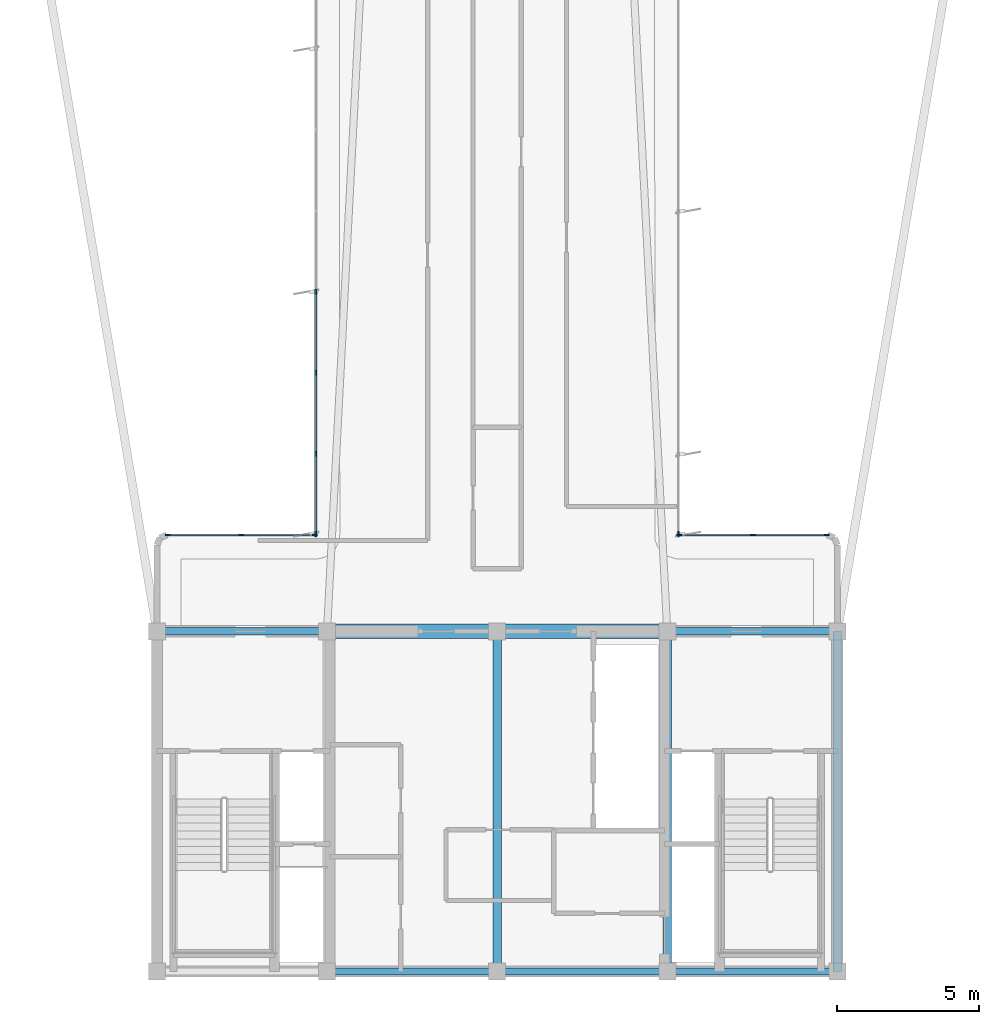
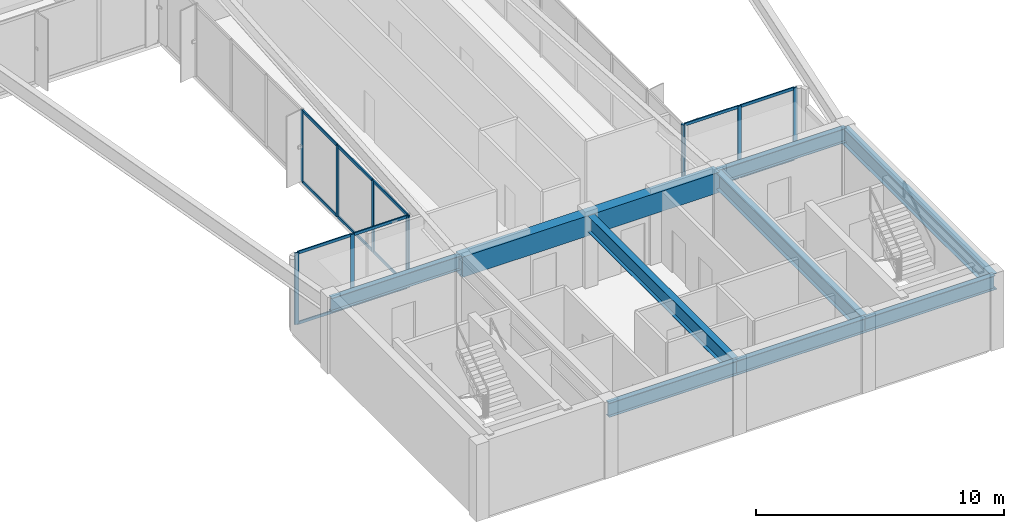
# One storey, part 2 of 15: 25 members, 9 beams, 4 elements without a shape of their own.
"""IFC4 building model written with IfcOpenShell, lengths in metres."""

from ifc_helpers import new_model, si_unit, direction, frame, origin, origin_2d, place, context, subcontext, project, spatial, rectangle, i_section, extrude, source, transform, mapped, material, layer, layer_set, material_profile, profile_set, type_object, element, aggregate, save


model = new_model("IFC4")

# Units and contexts
model_context = context("Model", 3, precision=1e-05, world=origin(), true_north=direction((0.0, 1.0)))
body_context = subcontext(model_context, "Body", "Model", "MODEL_VIEW")
ifc_project = project(units=[si_unit("LENGTHUNIT", "METRE"), si_unit("AREAUNIT", "SQUARE_METRE"), si_unit("VOLUMEUNIT", "CUBIC_METRE"), si_unit("PLANEANGLEUNIT", "RADIAN"), si_unit("MASSUNIT", "GRAM", prefix="KILO")], contexts=[model_context])

# Site, building, storey
site_placement = place(None, origin())
site = spatial("IfcSite", under=ifc_project, at=site_placement, CompositionType="ELEMENT")
building_placement = place(site_placement, origin())
building = spatial("IfcBuilding", under=site, at=building_placement, Name="Brelvock Crest Care Tower", CompositionType="ELEMENT")
storey_placement = place(building_placement, frame((0.0, 0.0, 260.820068359375)))
storey = spatial("IfcBuildingStorey", under=building, at=storey_placement, Name="L66", CompositionType="ELEMENT", Elevation=260.820068359375)

# Beams
ifc_material_1 = material(Name="Steel Grade 350", Category="steel")
ifc_material_profile_1 = material_profile(ifc_material_1, i_section(OverallWidth=0.25, OverallDepth=0.699951171875, WebThickness=0.011962890625, FlangeThickness=0.02001953125, at=origin_2d()), Name="700WB150")
ifc_profile_set_1 = profile_set([ifc_material_profile_1], Name="Steel Grade 350")
beam_type_1 = type_object("IfcBeamType", Name="BM-G4", PredefinedType="BEAM", material=ifc_profile_set_1)
shared_shape_1 = source(origin(), body_context, "Body", "SweptSolid", [
    extrude(i_section(OverallWidth=0.25, OverallDepth=0.699951171875, WebThickness=0.011962890625, FlangeThickness=0.02001953125, at=origin_2d()), origin(), (0.0, 0.0, 1.0), 6.0),
])
for number, where, z_axis, x_axis, name in (
    (1, (24.0, 18.0, 3.179931640625), (1.0, 0.0, 0.0), (0.0, 1.0, 0.0), "BM-COREN-L66-1"),
    (2, (30.0, 6.0, 3.179931640625), (1.0, 0.0, 0.0), (0.0, 1.0, 0.0), "BM-CORES-L66-2"),
    (3, (36.0, 6.0, 3.179931640625), (1.0, 0.0, 0.0), (0.0, 1.0, 0.0), "BM-CORES-L66-3"),
    (4, (42.0, 6.0, 3.179931640625), (1.0, 0.0, 0.0), (0.0, 1.0, 0.0), "BM-CORES-L66-4"),
    (5, (42.0, 18.0, 3.179931640625), (1.0, 0.0, 0.0), (0.0, 1.0, 0.0), "BM-COREN-L66-4"),
):
    element("IfcBeam", number, at=place(storey_placement, frame(where, z_axis=z_axis, x_axis=x_axis)), inside=storey, type_object=beam_type_1, Name=name, PredefinedType="BEAM", context=body_context, shape_type="MappedRepresentation", body=[
        mapped(shared_shape_1, transform((0.0, 0.0, 0.0), x_axis=(1.0, 0.0, 0.0), y_axis=(0.0, 1.0, 0.0), z_axis=(0.0, 0.0, 1.0), scale=1.0)),
    ])
ifc_material_profile_2 = material_profile(ifc_material_1, i_section(OverallWidth=0.300048828125, OverallDepth=0.800048828125, WebThickness=0.013916015625, FlangeThickness=0.02197265625, at=origin_2d()), Name="800WB192")
ifc_profile_set_2 = profile_set([ifc_material_profile_2], Name="Steel Grade 350")
beam_type_2 = type_object("IfcBeamType", Name="BM-G5", PredefinedType="BEAM", material=ifc_profile_set_2)
shared_shape_2 = source(origin(), body_context, "Body", "SweptSolid", [
    extrude(i_section(OverallWidth=0.300048828125, OverallDepth=0.800048828125, WebThickness=0.013916015625, FlangeThickness=0.02197265625, at=origin_2d()), origin(), (0.0, 0.0, 1.0), 12.0),
])
for number, where, z_axis, x_axis, name in (
    (6, (36.0, 6.0, 3.1298828125), (0.0, 1.0, 0.0), (-1.0, 0.0, 0.0), "BM-COREX-L66-3"),
    (7, (42.0, 6.0, 3.1298828125), (0.0, 1.0, 0.0), (-1.0, 0.0, 0.0), "BM-COREX-L66-4"),
    (8, (48.0, 6.0, 3.1298828125), (0.0, 1.0, 0.0), (-1.0, 0.0, 0.0), "BM-COREX-L66-5"),
):
    element("IfcBeam", number, at=place(storey_placement, frame(where, z_axis=z_axis, x_axis=x_axis)), inside=storey, type_object=beam_type_2, Name=name, PredefinedType="BEAM", context=body_context, shape_type="MappedRepresentation", body=[
        mapped(shared_shape_2, transform((0.0, 0.0, 0.0), x_axis=(1.0, 0.0, 0.0), y_axis=(0.0, 1.0, 0.0), z_axis=(0.0, 0.0, 1.0), scale=1.0)),
    ])
ifc_material_2 = material(Name="Concrete S65 (65 MPa)", Category="concrete")
ifc_material_profile_3 = material_profile(ifc_material_2, rectangle(XDim=0.5, YDim=1.0, at=origin_2d()), Name="RC500x1000")
ifc_profile_set_3 = profile_set([ifc_material_profile_3], Name="Concrete S65 (65 MPa)")
beam_type_3 = type_object("IfcBeamType", Name="BM-LN2", PredefinedType="LINTEL", material=ifc_profile_set_3)
shared_shape_3 = source(origin(), body_context, "Body", "SweptSolid", [
    extrude(rectangle(XDim=0.5, YDim=1.0, at=origin_2d()), origin(), (0.0, 0.0, 1.0), 12.0),
])
beam_placement = place(storey_placement, frame((30.0, 18.0, 3.030029296875), z_axis=(1.0, 0.0, 0.0), x_axis=(0.0, 1.0, 0.0)))
element("IfcBeam", 9, at=beam_placement, inside=storey, type_object=beam_type_3, Name="L66 Core Coupling Lintel Beam", PredefinedType="LINTEL", context=body_context, shape_type="MappedRepresentation", body=[
    mapped(shared_shape_3, transform((0.0, 0.0, 0.0), x_axis=(1.0, 0.0, 0.0), y_axis=(0.0, 1.0, 0.0), z_axis=(0.0, 0.0, 1.0), scale=1.0)),
])

# Curtain wall, members
ifc_material_3 = material(Name="Dark Glass Double Glazed Low-E", Category="glass")
ifc_layer = layer(ifc_material_3, 0.239990234375, Name="CWS-5")
ifc_layer_set = layer_set([ifc_layer], Name="Dark Glass Double Glazed Low-E")
curtain_wall_type = type_object("IfcCurtainWallType", Name="CWS-5", PredefinedType="NOTDEFINED", material=ifc_layer_set)
curtain_wall_1_placement = place(storey_placement, origin())
curtain_wall_1 = element("IfcCurtainWall", 10, at=curtain_wall_1_placement, inside=storey, type_object=curtain_wall_type, Name="L66 Curtain Wall E10", PredefinedType="NOTDEFINED")
ifc_material_4 = material(Name="Aluminium 6063-T6", Category="aluminium")
ifc_material_profile_4 = material_profile(ifc_material_4, rectangle(XDim=0.06005859375, YDim=0.179931640625, at=origin_2d()), Name="ALU60x180")
ifc_profile_set_4 = profile_set([ifc_material_profile_4], Name="Aluminium 6063-T6")
member_type_1 = type_object("IfcMemberType", Name="CWM-2", PredefinedType="MULLION", material=ifc_profile_set_4)
shared_shape_4 = source(origin(), body_context, "Body", "SweptSolid", [
    extrude(rectangle(XDim=0.06005859375, YDim=0.179931640625, at=origin_2d()), origin(), (0.0, 0.0, 1.0), 3.530029296875),
])
member_1_placement = place(storey_placement, frame((24.3798828125, 21.39990234375, 0.0), z_axis=(0.0, 0.0, 1.0), x_axis=(0.0, 1.0, 0.0)))
member_1 = element("IfcMember", 11, at=member_1_placement, type_object=member_type_1, Name="CW-5 mullion 1", PredefinedType="MULLION", context=body_context, shape_type="MappedRepresentation", body=[
    mapped(shared_shape_4, transform((0.0, 0.0, 0.0), x_axis=(1.0, 0.0, 0.0), y_axis=(0.0, 1.0, 0.0), z_axis=(0.0, 0.0, 1.0), scale=1.0)),
])
member_2_placement = place(storey_placement, frame((26.97509765625, 21.39990234375, 0.0), z_axis=(0.0, 0.0, 1.0), x_axis=(0.0, 1.0, 0.0)))
member_2 = element("IfcMember", 12, at=member_2_placement, type_object=member_type_1, Name="CW-5 mullion 2", PredefinedType="MULLION", context=body_context, shape_type="MappedRepresentation", body=[
    mapped(shared_shape_4, transform((0.0, 0.0, 0.0), x_axis=(1.0, 0.0, 0.0), y_axis=(0.0, 1.0, 0.0), z_axis=(0.0, 0.0, 1.0), scale=1.0)),
])
member_3_placement = place(storey_placement, frame((29.570068359375, 21.39990234375, 0.0), z_axis=(0.0, 0.0, 1.0), x_axis=(0.0, 1.0, 0.0)))
member_3 = element("IfcMember", 13, at=member_3_placement, type_object=member_type_1, Name="CW-5 mullion 3", PredefinedType="MULLION", context=body_context, shape_type="MappedRepresentation", body=[
    mapped(shared_shape_4, transform((0.0, 0.0, 0.0), x_axis=(1.0, 0.0, 0.0), y_axis=(0.0, 1.0, 0.0), z_axis=(0.0, 0.0, 1.0), scale=1.0)),
])

curtain_wall_2_placement = place(storey_placement, origin())
curtain_wall_2 = element("IfcCurtainWall", 14, at=curtain_wall_2_placement, inside=storey, type_object=curtain_wall_type, Name="L66 Curtain Wall E11", PredefinedType="NOTDEFINED")
member_4_placement = place(storey_placement, frame((29.60009765625, 21.429931640625, 0.0), z_axis=(0.0, 0.0, 1.0), x_axis=(-1.0, 0.0, 0.0)))
member_4 = element("IfcMember", 15, at=member_4_placement, type_object=member_type_1, Name="CW-5 mullion 1", PredefinedType="MULLION", context=body_context, shape_type="MappedRepresentation", body=[
    mapped(shared_shape_4, transform((0.0, 0.0, 0.0), x_axis=(1.0, 0.0, 0.0), y_axis=(0.0, 1.0, 0.0), z_axis=(0.0, 0.0, 1.0), scale=1.0)),
])
member_5_placement = place(storey_placement, frame((29.60009765625, 24.257080078125, 0.0), z_axis=(0.0, 0.0, 1.0), x_axis=(-1.0, 0.0, 0.0)))
member_5 = element("IfcMember", 16, at=member_5_placement, type_object=member_type_1, Name="CW-5 mullion 2", PredefinedType="MULLION", context=body_context, shape_type="MappedRepresentation", body=[
    mapped(shared_shape_4, transform((0.0, 0.0, 0.0), x_axis=(1.0, 0.0, 0.0), y_axis=(0.0, 1.0, 0.0), z_axis=(0.0, 0.0, 1.0), scale=1.0)),
])
member_6_placement = place(storey_placement, frame((29.60009765625, 27.1142578125, 0.0), z_axis=(0.0, 0.0, 1.0), x_axis=(-1.0, 0.0, 0.0)))
member_6 = element("IfcMember", 17, at=member_6_placement, type_object=member_type_1, Name="CW-5 mullion 3", PredefinedType="MULLION", context=body_context, shape_type="MappedRepresentation", body=[
    mapped(shared_shape_4, transform((0.0, 0.0, 0.0), x_axis=(1.0, 0.0, 0.0), y_axis=(0.0, 1.0, 0.0), z_axis=(0.0, 0.0, 1.0), scale=1.0)),
])
member_7_placement = place(storey_placement, frame((29.60009765625, 29.971435546875, 0.0), z_axis=(0.0, 0.0, 1.0), x_axis=(-1.0, 0.0, 0.0)))
member_7 = element("IfcMember", 18, at=member_7_placement, type_object=member_type_1, Name="CW-5 mullion 4", PredefinedType="MULLION", context=body_context, shape_type="MappedRepresentation", body=[
    mapped(shared_shape_4, transform((0.0, 0.0, 0.0), x_axis=(1.0, 0.0, 0.0), y_axis=(0.0, 1.0, 0.0), z_axis=(0.0, 0.0, 1.0), scale=1.0)),
])

# Curtain wall, member
curtain_wall_3_placement = place(storey_placement, origin())
curtain_wall_3 = element("IfcCurtainWall", 19, at=curtain_wall_3_placement, inside=storey, type_object=curtain_wall_type, Name="L66 Curtain Wall E45", PredefinedType="NOTDEFINED")
member_8_placement = place(storey_placement, frame((42.39990234375, 21.429931640625, 0.0), z_axis=(0.0, 0.0, 1.0), x_axis=(1.0, 0.0, 0.0)))
member_8 = element("IfcMember", 20, at=member_8_placement, type_object=member_type_1, Name="CW-5 mullion 8", PredefinedType="MULLION", context=body_context, shape_type="MappedRepresentation", body=[
    mapped(shared_shape_4, transform((0.0, 0.0, 0.0), x_axis=(1.0, 0.0, 0.0), y_axis=(0.0, 1.0, 0.0), z_axis=(0.0, 0.0, 1.0), scale=1.0)),
])
aggregate(curtain_wall_3, [member_8])

# Curtain wall, members
curtain_wall_4_placement = place(storey_placement, origin())
curtain_wall_4 = element("IfcCurtainWall", 21, at=curtain_wall_4_placement, inside=storey, type_object=curtain_wall_type, Name="L66 Curtain Wall E46", PredefinedType="NOTDEFINED")
member_9_placement = place(storey_placement, frame((42.429931640625, 21.39990234375, 0.0), z_axis=(0.0, 0.0, 1.0), x_axis=(0.0, 1.0, 0.0)))
member_9 = element("IfcMember", 22, at=member_9_placement, type_object=member_type_1, Name="CW-5 mullion 1", PredefinedType="MULLION", context=body_context, shape_type="MappedRepresentation", body=[
    mapped(shared_shape_4, transform((0.0, 0.0, 0.0), x_axis=(1.0, 0.0, 0.0), y_axis=(0.0, 1.0, 0.0), z_axis=(0.0, 0.0, 1.0), scale=1.0)),
])
member_10_placement = place(storey_placement, frame((45.02490234375, 21.39990234375, 0.0), z_axis=(0.0, 0.0, 1.0), x_axis=(0.0, 1.0, 0.0)))
member_10 = element("IfcMember", 23, at=member_10_placement, type_object=member_type_1, Name="CW-5 mullion 2", PredefinedType="MULLION", context=body_context, shape_type="MappedRepresentation", body=[
    mapped(shared_shape_4, transform((0.0, 0.0, 0.0), x_axis=(1.0, 0.0, 0.0), y_axis=(0.0, 1.0, 0.0), z_axis=(0.0, 0.0, 1.0), scale=1.0)),
])
member_11_placement = place(storey_placement, frame((47.6201171875, 21.39990234375, 0.0), z_axis=(0.0, 0.0, 1.0), x_axis=(0.0, 1.0, 0.0)))
member_11 = element("IfcMember", 24, at=member_11_placement, type_object=member_type_1, Name="CW-5 mullion 3", PredefinedType="MULLION", context=body_context, shape_type="MappedRepresentation", body=[
    mapped(shared_shape_4, transform((0.0, 0.0, 0.0), x_axis=(1.0, 0.0, 0.0), y_axis=(0.0, 1.0, 0.0), z_axis=(0.0, 0.0, 1.0), scale=1.0)),
])

# Member
ifc_material_profile_5 = material_profile(ifc_material_4, rectangle(XDim=0.06005859375, YDim=0.139892578125, at=origin_2d()), Name="ALU60x140")
ifc_profile_set_5 = profile_set([ifc_material_profile_5], Name="Aluminium 6063-T6")
member_type_2 = type_object("IfcMemberType", Name="CWT-2", PredefinedType="USERDEFINED", material=ifc_profile_set_5)
shared_shape_5 = source(origin(), body_context, "Body", "SweptSolid", [
    extrude(rectangle(XDim=0.06005859375, YDim=0.139892578125, at=origin_2d()), origin(), (0.0, 0.0, 1.0), 2.53515625),
])
member_12_placement = place(storey_placement, frame((24.409912109375, 21.39990234375, 0.030029296875), z_axis=(1.0, 0.0, 0.0), x_axis=(0.0, 1.0, 0.0)))
member_12 = element("IfcMember", 25, at=member_12_placement, type_object=member_type_2, Name="CW-5 transom 1.1", ObjectType="TRANSOM", PredefinedType="USERDEFINED", context=body_context, shape_type="MappedRepresentation", body=[
    mapped(shared_shape_5, transform((0.0, 0.0, 0.0), x_axis=(1.0, 0.0, 0.0), y_axis=(0.0, 1.0, 0.0), z_axis=(0.0, 0.0, 1.0), scale=1.0)),
])

member_13_placement = place(storey_placement, frame((24.409912109375, 21.39990234375, 3.5), z_axis=(1.0, 0.0, 0.0), x_axis=(0.0, 1.0, 0.0)))
member_13 = element("IfcMember", 26, at=member_13_placement, type_object=member_type_2, Name="CW-5 transom 1.2", ObjectType="TRANSOM", PredefinedType="USERDEFINED", context=body_context, shape_type="MappedRepresentation", body=[
    mapped(shared_shape_5, transform((0.0, 0.0, 0.0), x_axis=(1.0, 0.0, 0.0), y_axis=(0.0, 1.0, 0.0), z_axis=(0.0, 0.0, 1.0), scale=1.0)),
])

member_14_placement = place(storey_placement, frame((27.0048828125, 21.39990234375, 0.030029296875), z_axis=(1.0, 0.0, 0.0), x_axis=(0.0, 1.0, 0.0)))
member_14 = element("IfcMember", 27, at=member_14_placement, type_object=member_type_2, Name="CW-5 transom 2.1", ObjectType="TRANSOM", PredefinedType="USERDEFINED", context=body_context, shape_type="MappedRepresentation", body=[
    mapped(shared_shape_5, transform((0.0, 0.0, 0.0), x_axis=(1.0, 0.0, 0.0), y_axis=(0.0, 1.0, 0.0), z_axis=(0.0, 0.0, 1.0), scale=1.0)),
])

member_15_placement = place(storey_placement, frame((27.0048828125, 21.39990234375, 3.5), z_axis=(1.0, 0.0, 0.0), x_axis=(0.0, 1.0, 0.0)))
member_15 = element("IfcMember", 28, at=member_15_placement, type_object=member_type_2, Name="CW-5 transom 2.2", ObjectType="TRANSOM", PredefinedType="USERDEFINED", context=body_context, shape_type="MappedRepresentation", body=[
    mapped(shared_shape_5, transform((0.0, 0.0, 0.0), x_axis=(1.0, 0.0, 0.0), y_axis=(0.0, 1.0, 0.0), z_axis=(0.0, 0.0, 1.0), scale=1.0)),
])

aggregate(curtain_wall_1, [member_1, member_2, member_3, member_12, member_13, member_14, member_15])

member_16_placement = place(storey_placement, frame((42.4599609375, 21.39990234375, 0.030029296875), z_axis=(1.0, 0.0, 0.0), x_axis=(0.0, 1.0, 0.0)))
member_16 = element("IfcMember", 29, at=member_16_placement, type_object=member_type_2, Name="CW-5 transom 1.1", ObjectType="TRANSOM", PredefinedType="USERDEFINED", context=body_context, shape_type="MappedRepresentation", body=[
    mapped(shared_shape_5, transform((0.0, 0.0, 0.0), x_axis=(1.0, 0.0, 0.0), y_axis=(0.0, 1.0, 0.0), z_axis=(0.0, 0.0, 1.0), scale=1.0)),
])

member_17_placement = place(storey_placement, frame((42.4599609375, 21.39990234375, 3.5), z_axis=(1.0, 0.0, 0.0), x_axis=(0.0, 1.0, 0.0)))
member_17 = element("IfcMember", 30, at=member_17_placement, type_object=member_type_2, Name="CW-5 transom 1.2", ObjectType="TRANSOM", PredefinedType="USERDEFINED", context=body_context, shape_type="MappedRepresentation", body=[
    mapped(shared_shape_5, transform((0.0, 0.0, 0.0), x_axis=(1.0, 0.0, 0.0), y_axis=(0.0, 1.0, 0.0), z_axis=(0.0, 0.0, 1.0), scale=1.0)),
])

member_18_placement = place(storey_placement, frame((45.054931640625, 21.39990234375, 0.030029296875), z_axis=(1.0, 0.0, 0.0), x_axis=(0.0, 1.0, 0.0)))
member_18 = element("IfcMember", 31, at=member_18_placement, type_object=member_type_2, Name="CW-5 transom 2.1", ObjectType="TRANSOM", PredefinedType="USERDEFINED", context=body_context, shape_type="MappedRepresentation", body=[
    mapped(shared_shape_5, transform((0.0, 0.0, 0.0), x_axis=(1.0, 0.0, 0.0), y_axis=(0.0, 1.0, 0.0), z_axis=(0.0, 0.0, 1.0), scale=1.0)),
])

member_19_placement = place(storey_placement, frame((45.054931640625, 21.39990234375, 3.5), z_axis=(1.0, 0.0, 0.0), x_axis=(0.0, 1.0, 0.0)))
member_19 = element("IfcMember", 32, at=member_19_placement, type_object=member_type_2, Name="CW-5 transom 2.2", ObjectType="TRANSOM", PredefinedType="USERDEFINED", context=body_context, shape_type="MappedRepresentation", body=[
    mapped(shared_shape_5, transform((0.0, 0.0, 0.0), x_axis=(1.0, 0.0, 0.0), y_axis=(0.0, 1.0, 0.0), z_axis=(0.0, 0.0, 1.0), scale=1.0)),
])

aggregate(curtain_wall_4, [member_9, member_10, member_11, member_16, member_17, member_18, member_19])

shared_shape_6 = source(origin(), body_context, "Body", "SweptSolid", [
    extrude(rectangle(XDim=0.06005859375, YDim=0.139892578125, at=origin_2d()), origin(), (0.0, 0.0, 1.0), 2.76708984375),
])
member_20_placement = place(storey_placement, frame((29.60009765625, 21.4599609375, 0.030029296875), z_axis=(0.0, 1.0, 0.0), x_axis=(-1.0, 0.0, 0.0)))
member_20 = element("IfcMember", 33, at=member_20_placement, type_object=member_type_2, Name="CW-5 transom 1.1", ObjectType="TRANSOM", PredefinedType="USERDEFINED", context=body_context, shape_type="MappedRepresentation", body=[
    mapped(shared_shape_6, transform((0.0, 0.0, 0.0), x_axis=(1.0, 0.0, 0.0), y_axis=(0.0, 1.0, 0.0), z_axis=(0.0, 0.0, 1.0), scale=1.0)),
])

member_21_placement = place(storey_placement, frame((29.60009765625, 21.4599609375, 3.5), z_axis=(0.0, 1.0, 0.0), x_axis=(-1.0, 0.0, 0.0)))
member_21 = element("IfcMember", 34, at=member_21_placement, type_object=member_type_2, Name="CW-5 transom 1.2", ObjectType="TRANSOM", PredefinedType="USERDEFINED", context=body_context, shape_type="MappedRepresentation", body=[
    mapped(shared_shape_6, transform((0.0, 0.0, 0.0), x_axis=(1.0, 0.0, 0.0), y_axis=(0.0, 1.0, 0.0), z_axis=(0.0, 0.0, 1.0), scale=1.0)),
])

shared_shape_7 = source(origin(), body_context, "Body", "SweptSolid", [
    extrude(rectangle(XDim=0.06005859375, YDim=0.139892578125, at=origin_2d()), origin(), (0.0, 0.0, 1.0), 2.797119140625),
])
member_22_placement = place(storey_placement, frame((29.60009765625, 24.287109375, 0.030029296875), z_axis=(0.0, 1.0, 0.0), x_axis=(-1.0, 0.0, 0.0)))
member_22 = element("IfcMember", 35, at=member_22_placement, type_object=member_type_2, Name="CW-5 transom 2.1", ObjectType="TRANSOM", PredefinedType="USERDEFINED", context=body_context, shape_type="MappedRepresentation", body=[
    mapped(shared_shape_7, transform((0.0, 0.0, 0.0), x_axis=(1.0, 0.0, 0.0), y_axis=(0.0, 1.0, 0.0), z_axis=(0.0, 0.0, 1.0), scale=1.0)),
])

member_23_placement = place(storey_placement, frame((29.60009765625, 24.287109375, 3.5), z_axis=(0.0, 1.0, 0.0), x_axis=(-1.0, 0.0, 0.0)))
member_23 = element("IfcMember", 36, at=member_23_placement, type_object=member_type_2, Name="CW-5 transom 2.2", ObjectType="TRANSOM", PredefinedType="USERDEFINED", context=body_context, shape_type="MappedRepresentation", body=[
    mapped(shared_shape_7, transform((0.0, 0.0, 0.0), x_axis=(1.0, 0.0, 0.0), y_axis=(0.0, 1.0, 0.0), z_axis=(0.0, 0.0, 1.0), scale=1.0)),
])

member_24_placement = place(storey_placement, frame((29.60009765625, 27.144287109375, 0.030029296875), z_axis=(0.0, 1.0, 0.0), x_axis=(-1.0, 0.0, 0.0)))
member_24 = element("IfcMember", 37, at=member_24_placement, type_object=member_type_2, Name="CW-5 transom 3.1", ObjectType="TRANSOM", PredefinedType="USERDEFINED", context=body_context, shape_type="MappedRepresentation", body=[
    mapped(shared_shape_7, transform((0.0, 0.0, 0.0), x_axis=(1.0, 0.0, 0.0), y_axis=(0.0, 1.0, 0.0), z_axis=(0.0, 0.0, 1.0), scale=1.0)),
])

member_25_placement = place(storey_placement, frame((29.60009765625, 27.144287109375, 3.5), z_axis=(0.0, 1.0, 0.0), x_axis=(-1.0, 0.0, 0.0)))
member_25 = element("IfcMember", 38, at=member_25_placement, type_object=member_type_2, Name="CW-5 transom 3.2", ObjectType="TRANSOM", PredefinedType="USERDEFINED", context=body_context, shape_type="MappedRepresentation", body=[
    mapped(shared_shape_7, transform((0.0, 0.0, 0.0), x_axis=(1.0, 0.0, 0.0), y_axis=(0.0, 1.0, 0.0), z_axis=(0.0, 0.0, 1.0), scale=1.0)),
])

aggregate(curtain_wall_2, [member_4, member_5, member_6, member_7, member_20, member_21, member_22, member_23, member_24, member_25])

save(model, "model.ifc")
